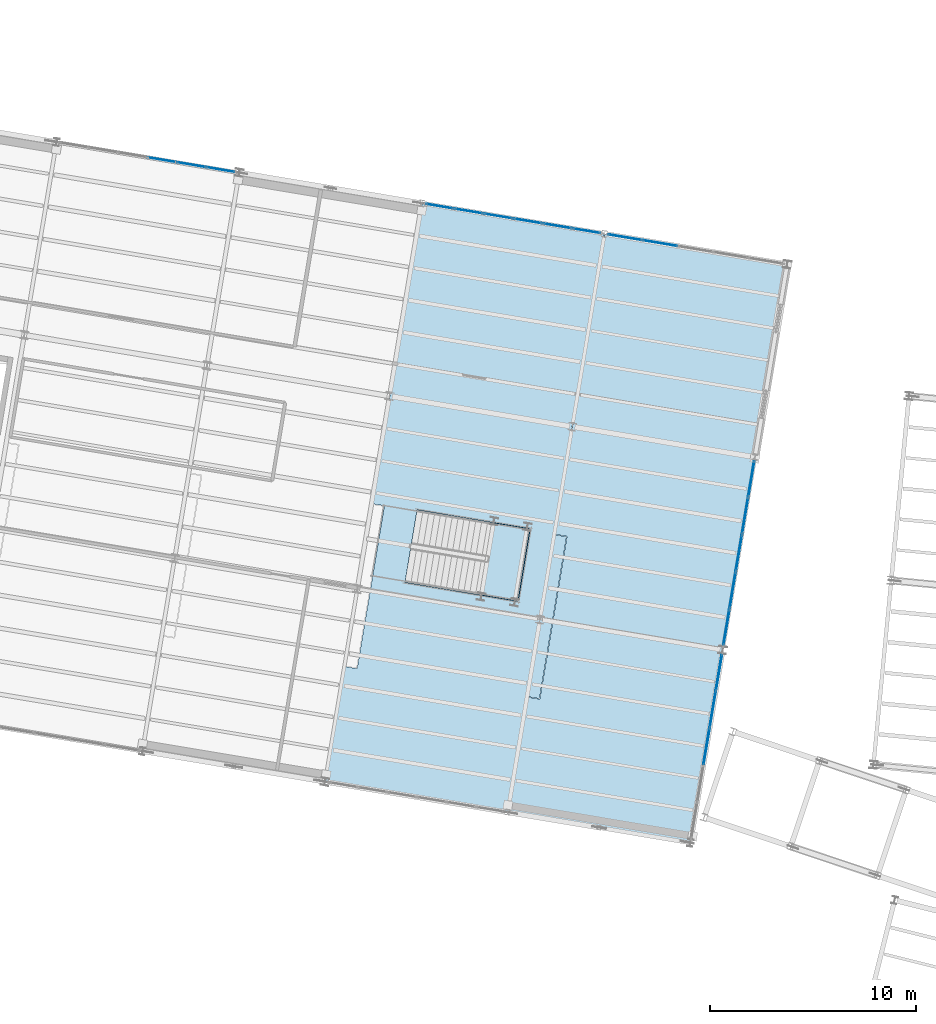
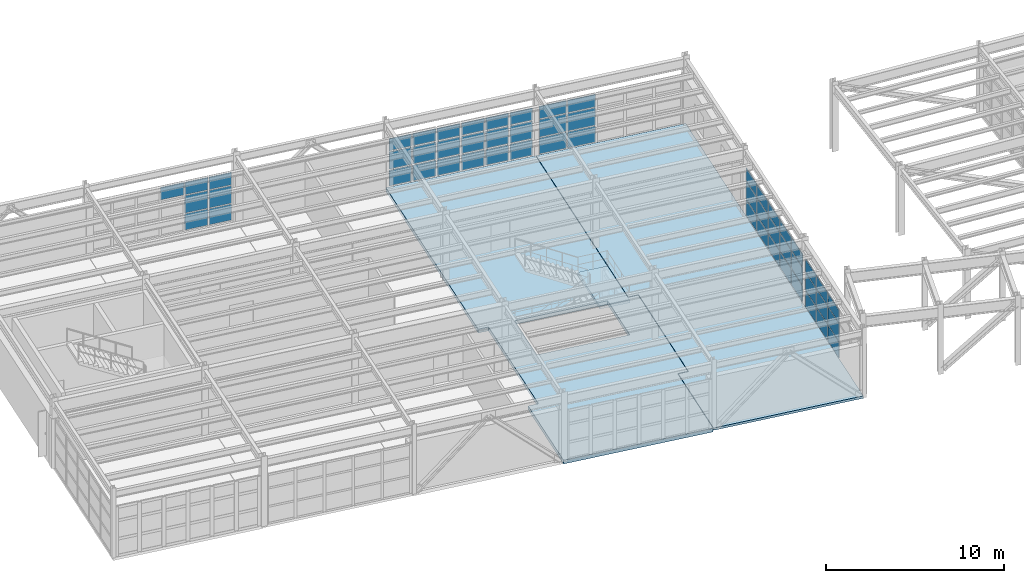
# One storey, part 70 of 109: 55 plates, 3 slabs, 6 elements without a shape of their own.
"""IFC4 building model written with IfcOpenShell, lengths in metres."""

from ifc_helpers import new_model, si_unit, direction, frame, origin, origin_2d, place, context, subcontext, project, spatial, polyline, rectangle, outline, extrude, material, layer, layer_set, type_object, element, aggregate, save


model = new_model("IFC4")

# Units and contexts
model_context = context("Model", 3, precision=1e-05, world=origin(), true_north=direction((0.0, 1.0)))
body_context = subcontext(model_context, "Body", "Model", "MODEL_VIEW")
ifc_project = project(units=[si_unit("LENGTHUNIT", "METRE"), si_unit("AREAUNIT", "SQUARE_METRE"), si_unit("VOLUMEUNIT", "CUBIC_METRE"), si_unit("PLANEANGLEUNIT", "RADIAN"), si_unit("MASSUNIT", "GRAM", prefix="KILO")], contexts=[model_context])

# Site, building, storey
site_placement = place(None, origin())
site = spatial("IfcSite", under=ifc_project, at=site_placement, CompositionType="ELEMENT")
building_placement = place(site_placement, origin())
building = spatial("IfcBuilding", under=site, at=building_placement, Name="Vireo Bluff Cable Station", CompositionType="ELEMENT")
storey_placement = place(building_placement, frame((0.0, 0.0, 4.800048828125)))
storey = spatial("IfcBuildingStorey", under=building, at=storey_placement, Name="L01", CompositionType="ELEMENT", Elevation=4.800048828125)

# Curtain wall, plates
ifc_material_1 = material(Name="Anodized Aluminium 6063-T6", Category="aluminium")
ifc_layer_1 = layer(ifc_material_1, 0.179931640625, Name="Anodized Aluminium 6063-T6")
ifc_layer_set_1 = layer_set([ifc_layer_1], Name="Anodized Aluminium 6063-T6")
curtain_wall_type_1 = type_object("IfcCurtainWallType", Name="CW-UNIT-1400", PredefinedType="USERDEFINED", material=ifc_layer_set_1)
curtain_wall_1_placement = place(storey_placement, origin())
curtain_wall_1 = element("IfcCurtainWall", 1, at=curtain_wall_1_placement, inside=storey, type_object=curtain_wall_type_1, Name="V4 L01 north curtain wall CW-090", ObjectType="UNITISED CURTAIN WALL", PredefinedType="USERDEFINED")
ifc_material_2 = material(Name="Laminated Low-E Insulated Glass", Category="glass")
ifc_layer_2 = layer(ifc_material_2, 0.028076171875, Name="Laminated Low-E Insulated Glass")
ifc_layer_set_2 = layer_set([ifc_layer_2], Name="Laminated Low-E Insulated Glass")
plate_type_1 = type_object("IfcPlateType", Name="CWP-28-1", PredefinedType="CURTAIN_PANEL", material=ifc_layer_set_2)
plate_1_placement = place(storey_placement, frame((24.20458984375, 97.266357421875, 2.47802734375), z_axis=(0.0, 0.0, 1.0), x_axis=(0.986285618078, -0.165047507018, 0.0)))
plate_1 = element("IfcPlate", 2, at=plate_1_placement, type_object=plate_type_1, Name="CW-090 panel 4.3", PredefinedType="CURTAIN_PANEL", context=body_context, shape_type="SweptSolid", body=[
    extrude(rectangle(XDim=1.386962890625, YDim=0.028076171875, at=origin_2d()), origin(), (0.0, 0.0, 1.0), 0.862060546875),
])
plate_2_placement = place(storey_placement, frame((25.631591796875, 97.02734375, 0.059814453125), z_axis=(0.0, 0.0, 1.0), x_axis=(0.986285618078, -0.165047507018, 0.0)))
plate_2 = element("IfcPlate", 3, at=plate_2_placement, type_object=plate_type_1, Name="CW-090 panel 5.1", PredefinedType="CURTAIN_PANEL", context=body_context, shape_type="SweptSolid", body=[
    extrude(rectangle(XDim=1.386962890625, YDim=0.028076171875, at=origin_2d()), origin(), (0.0, 0.0, 1.0), 1.10009765625),
])
plate_3_placement = place(storey_placement, frame((25.631591796875, 97.02734375, 1.2197265625), z_axis=(0.0, 0.0, 1.0), x_axis=(0.986285618078, -0.165047507018, 0.0)))
plate_3 = element("IfcPlate", 4, at=plate_3_placement, type_object=plate_type_1, Name="CW-090 panel 5.2", PredefinedType="CURTAIN_PANEL", context=body_context, shape_type="SweptSolid", body=[
    extrude(rectangle(XDim=1.386962890625, YDim=0.028076171875, at=origin_2d()), origin(), (0.0, 0.0, 1.0), 1.197998046875),
])
plate_4_placement = place(storey_placement, frame((25.631591796875, 97.02734375, 2.47802734375), z_axis=(0.0, 0.0, 1.0), x_axis=(0.986285618078, -0.165047507018, 0.0)))
plate_4 = element("IfcPlate", 5, at=plate_4_placement, type_object=plate_type_1, Name="CW-090 panel 5.3", PredefinedType="CURTAIN_PANEL", context=body_context, shape_type="SweptSolid", body=[
    extrude(rectangle(XDim=1.386962890625, YDim=0.028076171875, at=origin_2d()), origin(), (0.0, 0.0, 1.0), 0.862060546875),
])
plate_5_placement = place(storey_placement, frame((27.044189453125, 96.791015625, 0.059814453125), z_axis=(0.0, 0.0, 1.0), x_axis=(0.986285618078, -0.165047507018, 0.0)))
plate_5 = element("IfcPlate", 6, at=plate_5_placement, type_object=plate_type_1, Name="CW-090 panel 6.1", PredefinedType="CURTAIN_PANEL", context=body_context, shape_type="SweptSolid", body=[
    extrude(rectangle(XDim=1.357177734375, YDim=0.028076171875, at=origin_2d()), origin(), (0.0, 0.0, 1.0), 1.10009765625),
])
plate_6_placement = place(storey_placement, frame((27.044189453125, 96.791015625, 1.2197265625), z_axis=(0.0, 0.0, 1.0), x_axis=(0.986285618078, -0.165047507018, 0.0)))
plate_6 = element("IfcPlate", 7, at=plate_6_placement, type_object=plate_type_1, Name="CW-090 panel 6.2", PredefinedType="CURTAIN_PANEL", context=body_context, shape_type="SweptSolid", body=[
    extrude(rectangle(XDim=1.357177734375, YDim=0.028076171875, at=origin_2d()), origin(), (0.0, 0.0, 1.0), 1.197998046875),
])
plate_7_placement = place(storey_placement, frame((27.044189453125, 96.791015625, 2.47802734375), z_axis=(0.0, 0.0, 1.0), x_axis=(0.986285618078, -0.165047507018, 0.0)))
plate_7 = element("IfcPlate", 8, at=plate_7_placement, type_object=plate_type_1, Name="CW-090 panel 6.3", PredefinedType="CURTAIN_PANEL", context=body_context, shape_type="SweptSolid", body=[
    extrude(rectangle(XDim=1.357177734375, YDim=0.028076171875, at=origin_2d()), origin(), (0.0, 0.0, 1.0), 0.862060546875),
])
aggregate(curtain_wall_1, [plate_1, plate_2, plate_3, plate_4, plate_5, plate_6, plate_7])

ifc_layer_3 = layer(ifc_material_1, 0.179931640625, Name="Anodized Aluminium 6063-T6")
ifc_layer_set_3 = layer_set([ifc_layer_3], Name="Anodized Aluminium 6063-T6")
curtain_wall_type_2 = type_object("IfcCurtainWallType", Name="CW-UNIT-1500", PredefinedType="USERDEFINED", material=ifc_layer_set_3)
curtain_wall_2_placement = place(storey_placement, origin())
curtain_wall_2 = element("IfcCurtainWall", 9, at=curtain_wall_2_placement, inside=storey, type_object=curtain_wall_type_2, Name="V4 L01 north curtain wall CW-091", ObjectType="UNITISED CURTAIN WALL", PredefinedType="USERDEFINED")
ifc_layer_4 = layer(ifc_material_2, 0.031982421875, Name="Laminated Low-E Insulated Glass")
ifc_layer_set_4 = layer_set([ifc_layer_4], Name="Laminated Low-E Insulated Glass")
plate_type_2 = type_object("IfcPlateType", Name="CWP-32-2", PredefinedType="CURTAIN_PANEL", material=ifc_layer_set_4)
plate_8_placement = place(storey_placement, frame((37.698974609375, 95.008056640625, 0.080078125), z_axis=(0.0, 0.0, 1.0), x_axis=(0.986285605556, -0.165047581847, 0.0)))
plate_8 = element("IfcPlate", 10, at=plate_8_placement, type_object=plate_type_2, Name="CW-091 panel 1.1", PredefinedType="CURTAIN_PANEL", context=body_context, shape_type="SweptSolid", body=[
    extrude(rectangle(XDim=1.3369140625, YDim=0.031982421875, at=origin_2d()), origin(), (0.0, 0.0, 1.0), 1.070068359375),
])
plate_9_placement = place(storey_placement, frame((37.698974609375, 95.008056640625, 1.22998046875), z_axis=(0.0, 0.0, 1.0), x_axis=(0.986285605556, -0.165047581847, 0.0)))
plate_9 = element("IfcPlate", 11, at=plate_9_placement, type_object=plate_type_2, Name="CW-091 panel 1.2", PredefinedType="CURTAIN_PANEL", context=body_context, shape_type="SweptSolid", body=[
    extrude(rectangle(XDim=1.3369140625, YDim=0.031982421875, at=origin_2d()), origin(), (0.0, 0.0, 1.0), 1.177978515625),
])
plate_10_placement = place(storey_placement, frame((37.698974609375, 95.008056640625, 2.488037109375), z_axis=(0.0, 0.0, 1.0), x_axis=(0.986285605556, -0.165047581847, 0.0)))
plate_10 = element("IfcPlate", 12, at=plate_10_placement, type_object=plate_type_2, Name="CW-091 panel 1.3", PredefinedType="CURTAIN_PANEL", context=body_context, shape_type="SweptSolid", body=[
    extrude(rectangle(XDim=1.3369140625, YDim=0.031982421875, at=origin_2d()), origin(), (0.0, 0.0, 1.0), 0.83203125),
])
plate_11_placement = place(storey_placement, frame((39.1162109375, 94.770751953125, 0.080078125), z_axis=(0.0, 0.0, 1.0), x_axis=(0.986285605556, -0.165047581847, 0.0)))
plate_11 = element("IfcPlate", 13, at=plate_11_placement, type_object=plate_type_2, Name="CW-091 panel 2.1", PredefinedType="CURTAIN_PANEL", context=body_context, shape_type="SweptSolid", body=[
    extrude(rectangle(XDim=1.376953125, YDim=0.031982421875, at=origin_2d()), origin(), (0.0, 0.0, 1.0), 1.070068359375),
])
plate_12_placement = place(storey_placement, frame((39.1162109375, 94.770751953125, 1.22998046875), z_axis=(0.0, 0.0, 1.0), x_axis=(0.986285605556, -0.165047581847, 0.0)))
plate_12 = element("IfcPlate", 14, at=plate_12_placement, type_object=plate_type_2, Name="CW-091 panel 2.2", PredefinedType="CURTAIN_PANEL", context=body_context, shape_type="SweptSolid", body=[
    extrude(rectangle(XDim=1.376953125, YDim=0.031982421875, at=origin_2d()), origin(), (0.0, 0.0, 1.0), 1.177978515625),
])
plate_13_placement = place(storey_placement, frame((39.1162109375, 94.770751953125, 2.488037109375), z_axis=(0.0, 0.0, 1.0), x_axis=(0.986285605556, -0.165047581847, 0.0)))
plate_13 = element("IfcPlate", 15, at=plate_13_placement, type_object=plate_type_2, Name="CW-091 panel 2.3", PredefinedType="CURTAIN_PANEL", context=body_context, shape_type="SweptSolid", body=[
    extrude(rectangle(XDim=1.376953125, YDim=0.031982421875, at=origin_2d()), origin(), (0.0, 0.0, 1.0), 0.83203125),
])
plate_14_placement = place(storey_placement, frame((40.55322265625, 94.5302734375, 0.080078125), z_axis=(0.0, 0.0, 1.0), x_axis=(0.986285605556, -0.165047581847, 0.0)))
plate_14 = element("IfcPlate", 16, at=plate_14_placement, type_object=plate_type_2, Name="CW-091 panel 3.1", PredefinedType="CURTAIN_PANEL", context=body_context, shape_type="SweptSolid", body=[
    extrude(rectangle(XDim=1.376953125, YDim=0.031982421875, at=origin_2d()), origin(), (0.0, 0.0, 1.0), 1.070068359375),
])
plate_15_placement = place(storey_placement, frame((40.55322265625, 94.5302734375, 1.22998046875), z_axis=(0.0, 0.0, 1.0), x_axis=(0.986285605556, -0.165047581847, 0.0)))
plate_15 = element("IfcPlate", 17, at=plate_15_placement, type_object=plate_type_2, Name="CW-091 panel 3.2", PredefinedType="CURTAIN_PANEL", context=body_context, shape_type="SweptSolid", body=[
    extrude(rectangle(XDim=1.376953125, YDim=0.031982421875, at=origin_2d()), origin(), (0.0, 0.0, 1.0), 1.177978515625),
])
plate_16_placement = place(storey_placement, frame((40.55322265625, 94.5302734375, 2.488037109375), z_axis=(0.0, 0.0, 1.0), x_axis=(0.986285605556, -0.165047581847, 0.0)))
plate_16 = element("IfcPlate", 18, at=plate_16_placement, type_object=plate_type_2, Name="CW-091 panel 3.3", PredefinedType="CURTAIN_PANEL", context=body_context, shape_type="SweptSolid", body=[
    extrude(rectangle(XDim=1.376953125, YDim=0.031982421875, at=origin_2d()), origin(), (0.0, 0.0, 1.0), 0.83203125),
])
plate_17_placement = place(storey_placement, frame((41.990478515625, 94.289794921875, 0.080078125), z_axis=(0.0, 0.0, 1.0), x_axis=(0.986285605556, -0.165047581847, 0.0)))
plate_17 = element("IfcPlate", 19, at=plate_17_placement, type_object=plate_type_2, Name="CW-091 panel 4.1", PredefinedType="CURTAIN_PANEL", context=body_context, shape_type="SweptSolid", body=[
    extrude(rectangle(XDim=1.376953125, YDim=0.031982421875, at=origin_2d()), origin(), (0.0, 0.0, 1.0), 1.070068359375),
])
plate_18_placement = place(storey_placement, frame((41.990478515625, 94.289794921875, 1.22998046875), z_axis=(0.0, 0.0, 1.0), x_axis=(0.986285605556, -0.165047581847, 0.0)))
plate_18 = element("IfcPlate", 20, at=plate_18_placement, type_object=plate_type_2, Name="CW-091 panel 4.2", PredefinedType="CURTAIN_PANEL", context=body_context, shape_type="SweptSolid", body=[
    extrude(rectangle(XDim=1.376953125, YDim=0.031982421875, at=origin_2d()), origin(), (0.0, 0.0, 1.0), 1.177978515625),
])
plate_19_placement = place(storey_placement, frame((41.990478515625, 94.289794921875, 2.488037109375), z_axis=(0.0, 0.0, 1.0), x_axis=(0.986285605556, -0.165047581847, 0.0)))
plate_19 = element("IfcPlate", 21, at=plate_19_placement, type_object=plate_type_2, Name="CW-091 panel 4.3", PredefinedType="CURTAIN_PANEL", context=body_context, shape_type="SweptSolid", body=[
    extrude(rectangle(XDim=1.376953125, YDim=0.031982421875, at=origin_2d()), origin(), (0.0, 0.0, 1.0), 0.83203125),
])
plate_20_placement = place(storey_placement, frame((43.427490234375, 94.04931640625, 0.080078125), z_axis=(0.0, 0.0, 1.0), x_axis=(0.986285605556, -0.165047581847, 0.0)))
plate_20 = element("IfcPlate", 22, at=plate_20_placement, type_object=plate_type_2, Name="CW-091 panel 5.1", PredefinedType="CURTAIN_PANEL", context=body_context, shape_type="SweptSolid", body=[
    extrude(rectangle(XDim=1.376953125, YDim=0.031982421875, at=origin_2d()), origin(), (0.0, 0.0, 1.0), 1.070068359375),
])
plate_21_placement = place(storey_placement, frame((43.427490234375, 94.04931640625, 1.22998046875), z_axis=(0.0, 0.0, 1.0), x_axis=(0.986285605556, -0.165047581847, 0.0)))
plate_21 = element("IfcPlate", 23, at=plate_21_placement, type_object=plate_type_2, Name="CW-091 panel 5.2", PredefinedType="CURTAIN_PANEL", context=body_context, shape_type="SweptSolid", body=[
    extrude(rectangle(XDim=1.376953125, YDim=0.031982421875, at=origin_2d()), origin(), (0.0, 0.0, 1.0), 1.177978515625),
])
plate_22_placement = place(storey_placement, frame((43.427490234375, 94.04931640625, 2.488037109375), z_axis=(0.0, 0.0, 1.0), x_axis=(0.986285605556, -0.165047581847, 0.0)))
plate_22 = element("IfcPlate", 24, at=plate_22_placement, type_object=plate_type_2, Name="CW-091 panel 5.3", PredefinedType="CURTAIN_PANEL", context=body_context, shape_type="SweptSolid", body=[
    extrude(rectangle(XDim=1.376953125, YDim=0.031982421875, at=origin_2d()), origin(), (0.0, 0.0, 1.0), 0.83203125),
])
plate_23_placement = place(storey_placement, frame((44.8447265625, 93.812255859375, 0.080078125), z_axis=(0.0, 0.0, 1.0), x_axis=(0.986285605556, -0.165047581847, 0.0)))
plate_23 = element("IfcPlate", 25, at=plate_23_placement, type_object=plate_type_2, Name="CW-091 panel 6.1", PredefinedType="CURTAIN_PANEL", context=body_context, shape_type="SweptSolid", body=[
    extrude(rectangle(XDim=1.3369140625, YDim=0.031982421875, at=origin_2d()), origin(), (0.0, 0.0, 1.0), 1.070068359375),
])
plate_24_placement = place(storey_placement, frame((44.8447265625, 93.812255859375, 1.22998046875), z_axis=(0.0, 0.0, 1.0), x_axis=(0.986285605556, -0.165047581847, 0.0)))
plate_24 = element("IfcPlate", 26, at=plate_24_placement, type_object=plate_type_2, Name="CW-091 panel 6.2", PredefinedType="CURTAIN_PANEL", context=body_context, shape_type="SweptSolid", body=[
    extrude(rectangle(XDim=1.3369140625, YDim=0.031982421875, at=origin_2d()), origin(), (0.0, 0.0, 1.0), 1.177978515625),
])
plate_25_placement = place(storey_placement, frame((44.8447265625, 93.812255859375, 2.488037109375), z_axis=(0.0, 0.0, 1.0), x_axis=(0.986285605556, -0.165047581847, 0.0)))
plate_25 = element("IfcPlate", 27, at=plate_25_placement, type_object=plate_type_2, Name="CW-091 panel 6.3", PredefinedType="CURTAIN_PANEL", context=body_context, shape_type="SweptSolid", body=[
    extrude(rectangle(XDim=1.3369140625, YDim=0.031982421875, at=origin_2d()), origin(), (0.0, 0.0, 1.0), 0.83203125),
])
aggregate(curtain_wall_2, [plate_8, plate_9, plate_10, plate_11, plate_12, plate_13, plate_14, plate_15, plate_16, plate_17, plate_18, plate_19, plate_20, plate_21, plate_22, plate_23, plate_24, plate_25])

ifc_layer_5 = layer(ifc_material_1, 0.179931640625, Name="Anodized Aluminium 6063-T6")
ifc_layer_set_5 = layer_set([ifc_layer_5], Name="Anodized Aluminium 6063-T6")
curtain_wall_type_3 = type_object("IfcCurtainWallType", Name="CW-UNIT-1650", PredefinedType="USERDEFINED", material=ifc_layer_set_5)
curtain_wall_3_placement = place(storey_placement, origin())
curtain_wall_3 = element("IfcCurtainWall", 28, at=curtain_wall_3_placement, inside=storey, type_object=curtain_wall_type_3, Name="V4 L01 north curtain wall CW-092", ObjectType="UNITISED CURTAIN WALL", PredefinedType="USERDEFINED")
ifc_layer_6 = layer(ifc_material_2, 0.035888671875, Name="Laminated Low-E Insulated Glass")
ifc_layer_set_6 = layer_set([ifc_layer_6], Name="Laminated Low-E Insulated Glass")
plate_type_3 = type_object("IfcPlateType", Name="CWP-36-3", PredefinedType="CURTAIN_PANEL", material=ifc_layer_set_6)
plate_26_placement = place(storey_placement, frame((46.7099609375, 93.500244140625, 0.06494140625), z_axis=(0.0, 0.0, 1.0), x_axis=(0.986285589951, -0.165047675095, 0.0)))
plate_26 = element("IfcPlate", 29, at=plate_26_placement, type_object=plate_type_3, Name="CW-092 panel 1.1", PredefinedType="CURTAIN_PANEL", context=body_context, shape_type="SweptSolid", body=[
    extrude(rectangle(XDim=1.639404296875, YDim=0.035888671875, at=origin_2d()), origin(), (0.0, 0.0, 1.0), 1.092529296875),
])
plate_27_placement = place(storey_placement, frame((46.7099609375, 93.500244140625, 1.22216796875), z_axis=(0.0, 0.0, 1.0), x_axis=(0.986285589951, -0.165047675095, 0.0)))
plate_27 = element("IfcPlate", 30, at=plate_27_placement, type_object=plate_type_3, Name="CW-092 panel 1.2", PredefinedType="CURTAIN_PANEL", context=body_context, shape_type="SweptSolid", body=[
    extrude(rectangle(XDim=1.639404296875, YDim=0.035888671875, at=origin_2d()), origin(), (0.0, 0.0, 1.0), 1.193115234375),
])
plate_28_placement = place(storey_placement, frame((46.7099609375, 93.500244140625, 2.48046875), z_axis=(0.0, 0.0, 1.0), x_axis=(0.986285589951, -0.165047675095, 0.0)))
plate_28 = element("IfcPlate", 31, at=plate_28_placement, type_object=plate_type_3, Name="CW-092 panel 1.3", PredefinedType="CURTAIN_PANEL", context=body_context, shape_type="SweptSolid", body=[
    extrude(rectangle(XDim=1.639404296875, YDim=0.035888671875, at=origin_2d()), origin(), (0.0, 0.0, 1.0), 0.8544921875),
])
plate_29_placement = place(storey_placement, frame((48.40673828125, 93.216064453125, 0.06494140625), z_axis=(0.0, 0.0, 1.0), x_axis=(0.986285589951, -0.165047675095, 0.0)))
plate_29 = element("IfcPlate", 32, at=plate_29_placement, type_object=plate_type_3, Name="CW-092 panel 2.1", PredefinedType="CURTAIN_PANEL", context=body_context, shape_type="SweptSolid", body=[
    extrude(rectangle(XDim=1.671875, YDim=0.035888671875, at=origin_2d()), origin(), (0.0, 0.0, 1.0), 1.092529296875),
])
plate_30_placement = place(storey_placement, frame((48.40673828125, 93.216064453125, 1.22216796875), z_axis=(0.0, 0.0, 1.0), x_axis=(0.986285589951, -0.165047675095, 0.0)))
plate_30 = element("IfcPlate", 33, at=plate_30_placement, type_object=plate_type_3, Name="CW-092 panel 2.2", PredefinedType="CURTAIN_PANEL", context=body_context, shape_type="SweptSolid", body=[
    extrude(rectangle(XDim=1.671875, YDim=0.035888671875, at=origin_2d()), origin(), (0.0, 0.0, 1.0), 1.193115234375),
])
plate_31_placement = place(storey_placement, frame((48.40673828125, 93.216064453125, 2.48046875), z_axis=(0.0, 0.0, 1.0), x_axis=(0.986285589951, -0.165047675095, 0.0)))
plate_31 = element("IfcPlate", 34, at=plate_31_placement, type_object=plate_type_3, Name="CW-092 panel 2.3", PredefinedType="CURTAIN_PANEL", context=body_context, shape_type="SweptSolid", body=[
    extrude(rectangle(XDim=1.671875, YDim=0.035888671875, at=origin_2d()), origin(), (0.0, 0.0, 1.0), 0.8544921875),
])
aggregate(curtain_wall_3, [plate_26, plate_27, plate_28, plate_29, plate_30, plate_31])

ifc_layer_7 = layer(ifc_material_1, 0.159912109375, Name="Anodized Aluminium 6063-T6")
ifc_layer_set_7 = layer_set([ifc_layer_7], Name="Anodized Aluminium 6063-T6")
curtain_wall_type_4 = type_object("IfcCurtainWallType", Name="CW-STICK-1850", PredefinedType="USERDEFINED", material=ifc_layer_set_7)
curtain_wall_4_placement = place(storey_placement, origin())
curtain_wall_4 = element("IfcCurtainWall", 35, at=curtain_wall_4_placement, inside=storey, type_object=curtain_wall_type_4, Name="V4 L01 east curtain wall CW-093", ObjectType="STICK CURTAIN WALL", PredefinedType="USERDEFINED")
ifc_material_3 = material(Name="Insulated Spandrel Glass Panel", Category="glass")
ifc_layer_8 = layer(ifc_material_3, 0.0419921875, Name="Insulated Spandrel Glass Panel")
ifc_layer_set_8 = layer_set([ifc_layer_8], Name="Insulated Spandrel Glass Panel")
plate_type_4 = type_object("IfcPlateType", Name="CWP-42-4", PredefinedType="CURTAIN_PANEL", material=ifc_layer_set_8)
plate_32_placement = place(storey_placement, frame((52.842529296875, 81.75927734375, 0.0751953125), z_axis=(0.0, 0.0, 1.0), x_axis=(-0.165047565133, -0.986285608353, 0.0)))
plate_32 = element("IfcPlate", 36, at=plate_32_placement, type_object=plate_type_4, Name="CW-093 panel 1.1", PredefinedType="CURTAIN_PANEL", context=body_context, shape_type="SweptSolid", body=[
    extrude(rectangle(XDim=1.72509765625, YDim=0.0419921875, at=origin_2d()), origin(), (0.0, 0.0, 1.0), 1.077392578125),
])
plate_33_placement = place(storey_placement, frame((52.842529296875, 81.75927734375, 1.227294921875), z_axis=(0.0, 0.0, 1.0), x_axis=(-0.165047565133, -0.986285608353, 0.0)))
plate_33 = element("IfcPlate", 37, at=plate_33_placement, type_object=plate_type_4, Name="CW-093 panel 1.2", PredefinedType="CURTAIN_PANEL", context=body_context, shape_type="SweptSolid", body=[
    extrude(rectangle(XDim=1.72509765625, YDim=0.0419921875, at=origin_2d()), origin(), (0.0, 0.0, 1.0), 1.18310546875),
])
plate_34_placement = place(storey_placement, frame((52.842529296875, 81.75927734375, 2.4853515625), z_axis=(0.0, 0.0, 1.0), x_axis=(-0.165047565133, -0.986285608353, 0.0)))
plate_34 = element("IfcPlate", 38, at=plate_34_placement, type_object=plate_type_4, Name="CW-093 panel 1.3", PredefinedType="CURTAIN_PANEL", context=body_context, shape_type="SweptSolid", body=[
    extrude(rectangle(XDim=1.72509765625, YDim=0.0419921875, at=origin_2d()), origin(), (0.0, 0.0, 1.0), 0.839599609375),
])
plate_35_placement = place(storey_placement, frame((52.54248046875, 79.965576171875, 0.0751953125), z_axis=(0.0, 0.0, 1.0), x_axis=(-0.165047565133, -0.986285608353, 0.0)))
plate_35 = element("IfcPlate", 39, at=plate_35_placement, type_object=plate_type_4, Name="CW-093 panel 2.1", PredefinedType="CURTAIN_PANEL", context=body_context, shape_type="SweptSolid", body=[
    extrude(rectangle(XDim=1.7626953125, YDim=0.0419921875, at=origin_2d()), origin(), (0.0, 0.0, 1.0), 1.077392578125),
])
plate_36_placement = place(storey_placement, frame((52.54248046875, 79.965576171875, 1.227294921875), z_axis=(0.0, 0.0, 1.0), x_axis=(-0.165047565133, -0.986285608353, 0.0)))
plate_36 = element("IfcPlate", 40, at=plate_36_placement, type_object=plate_type_4, Name="CW-093 panel 2.2", PredefinedType="CURTAIN_PANEL", context=body_context, shape_type="SweptSolid", body=[
    extrude(rectangle(XDim=1.7626953125, YDim=0.0419921875, at=origin_2d()), origin(), (0.0, 0.0, 1.0), 1.18310546875),
])
plate_37_placement = place(storey_placement, frame((52.54248046875, 79.965576171875, 2.4853515625), z_axis=(0.0, 0.0, 1.0), x_axis=(-0.165047565133, -0.986285608353, 0.0)))
plate_37 = element("IfcPlate", 41, at=plate_37_placement, type_object=plate_type_4, Name="CW-093 panel 2.3", PredefinedType="CURTAIN_PANEL", context=body_context, shape_type="SweptSolid", body=[
    extrude(rectangle(XDim=1.7626953125, YDim=0.0419921875, at=origin_2d()), origin(), (0.0, 0.0, 1.0), 0.839599609375),
])
plate_38_placement = place(storey_placement, frame((52.239013671875, 78.153076171875, 0.0751953125), z_axis=(0.0, 0.0, 1.0), x_axis=(-0.165047565133, -0.986285608353, 0.0)))
plate_38 = element("IfcPlate", 42, at=plate_38_placement, type_object=plate_type_4, Name="CW-093 panel 3.1", PredefinedType="CURTAIN_PANEL", context=body_context, shape_type="SweptSolid", body=[
    extrude(rectangle(XDim=1.7626953125, YDim=0.0419921875, at=origin_2d()), origin(), (0.0, 0.0, 1.0), 1.077392578125),
])
plate_39_placement = place(storey_placement, frame((52.239013671875, 78.153076171875, 1.227294921875), z_axis=(0.0, 0.0, 1.0), x_axis=(-0.165047565133, -0.986285608353, 0.0)))
plate_39 = element("IfcPlate", 43, at=plate_39_placement, type_object=plate_type_4, Name="CW-093 panel 3.2", PredefinedType="CURTAIN_PANEL", context=body_context, shape_type="SweptSolid", body=[
    extrude(rectangle(XDim=1.7626953125, YDim=0.0419921875, at=origin_2d()), origin(), (0.0, 0.0, 1.0), 1.18310546875),
])
plate_40_placement = place(storey_placement, frame((52.239013671875, 78.153076171875, 2.4853515625), z_axis=(0.0, 0.0, 1.0), x_axis=(-0.165047565133, -0.986285608353, 0.0)))
plate_40 = element("IfcPlate", 44, at=plate_40_placement, type_object=plate_type_4, Name="CW-093 panel 3.3", PredefinedType="CURTAIN_PANEL", context=body_context, shape_type="SweptSolid", body=[
    extrude(rectangle(XDim=1.7626953125, YDim=0.0419921875, at=origin_2d()), origin(), (0.0, 0.0, 1.0), 0.839599609375),
])
plate_41_placement = place(storey_placement, frame((51.935791015625, 76.340576171875, 0.0751953125), z_axis=(0.0, 0.0, 1.0), x_axis=(-0.165047565133, -0.986285608353, 0.0)))
plate_41 = element("IfcPlate", 45, at=plate_41_placement, type_object=plate_type_4, Name="CW-093 panel 4.1", PredefinedType="CURTAIN_PANEL", context=body_context, shape_type="SweptSolid", body=[
    extrude(rectangle(XDim=1.7626953125, YDim=0.0419921875, at=origin_2d()), origin(), (0.0, 0.0, 1.0), 1.077392578125),
])
plate_42_placement = place(storey_placement, frame((51.935791015625, 76.340576171875, 1.227294921875), z_axis=(0.0, 0.0, 1.0), x_axis=(-0.165047565133, -0.986285608353, 0.0)))
plate_42 = element("IfcPlate", 46, at=plate_42_placement, type_object=plate_type_4, Name="CW-093 panel 4.2", PredefinedType="CURTAIN_PANEL", context=body_context, shape_type="SweptSolid", body=[
    extrude(rectangle(XDim=1.7626953125, YDim=0.0419921875, at=origin_2d()), origin(), (0.0, 0.0, 1.0), 1.18310546875),
])
plate_43_placement = place(storey_placement, frame((51.935791015625, 76.340576171875, 2.4853515625), z_axis=(0.0, 0.0, 1.0), x_axis=(-0.165047565133, -0.986285608353, 0.0)))
plate_43 = element("IfcPlate", 47, at=plate_43_placement, type_object=plate_type_4, Name="CW-093 panel 4.3", PredefinedType="CURTAIN_PANEL", context=body_context, shape_type="SweptSolid", body=[
    extrude(rectangle(XDim=1.7626953125, YDim=0.0419921875, at=origin_2d()), origin(), (0.0, 0.0, 1.0), 0.839599609375),
])
plate_44_placement = place(storey_placement, frame((51.635498046875, 74.546875, 0.0751953125), z_axis=(0.0, 0.0, 1.0), x_axis=(-0.165047565133, -0.986285608353, 0.0)))
plate_44 = element("IfcPlate", 48, at=plate_44_placement, type_object=plate_type_4, Name="CW-093 panel 5.1", PredefinedType="CURTAIN_PANEL", context=body_context, shape_type="SweptSolid", body=[
    extrude(rectangle(XDim=1.72509765625, YDim=0.0419921875, at=origin_2d()), origin(), (0.0, 0.0, 1.0), 1.077392578125),
])
plate_45_placement = place(storey_placement, frame((51.635498046875, 74.546875, 1.227294921875), z_axis=(0.0, 0.0, 1.0), x_axis=(-0.165047565133, -0.986285608353, 0.0)))
plate_45 = element("IfcPlate", 49, at=plate_45_placement, type_object=plate_type_4, Name="CW-093 panel 5.2", PredefinedType="CURTAIN_PANEL", context=body_context, shape_type="SweptSolid", body=[
    extrude(rectangle(XDim=1.72509765625, YDim=0.0419921875, at=origin_2d()), origin(), (0.0, 0.0, 1.0), 1.18310546875),
])
plate_46_placement = place(storey_placement, frame((51.635498046875, 74.546875, 2.4853515625), z_axis=(0.0, 0.0, 1.0), x_axis=(-0.165047565133, -0.986285608353, 0.0)))
plate_46 = element("IfcPlate", 50, at=plate_46_placement, type_object=plate_type_4, Name="CW-093 panel 5.3", PredefinedType="CURTAIN_PANEL", context=body_context, shape_type="SweptSolid", body=[
    extrude(rectangle(XDim=1.72509765625, YDim=0.0419921875, at=origin_2d()), origin(), (0.0, 0.0, 1.0), 0.839599609375),
])
aggregate(curtain_wall_4, [plate_32, plate_33, plate_34, plate_35, plate_36, plate_37, plate_38, plate_39, plate_40, plate_41, plate_42, plate_43, plate_44, plate_45, plate_46])

ifc_layer_9 = layer(ifc_material_1, 0.159912109375, Name="Anodized Aluminium 6063-T6")
ifc_layer_set_9 = layer_set([ifc_layer_9], Name="Anodized Aluminium 6063-T6")
curtain_wall_type_5 = type_object("IfcCurtainWallType", Name="CW-STICK-1750", PredefinedType="USERDEFINED", material=ifc_layer_set_9)
curtain_wall_5_placement = place(storey_placement, origin())
curtain_wall_5 = element("IfcCurtainWall", 51, at=curtain_wall_5_placement, inside=storey, type_object=curtain_wall_type_5, Name="V4 L01 east curtain wall CW-094", ObjectType="STICK CURTAIN WALL", PredefinedType="USERDEFINED")
ifc_layer_10 = layer(ifc_material_3, 0.048095703125, Name="Insulated Spandrel Glass Panel")
ifc_layer_set_10 = layer_set([ifc_layer_10], Name="Insulated Spandrel Glass Panel")
plate_type_5 = type_object("IfcPlateType", Name="CWP-48-5", PredefinedType="CURTAIN_PANEL", material=ifc_layer_set_10)
plate_47_placement = place(storey_placement, frame((51.267578125, 72.347412109375, 0.059814453125), z_axis=(0.0, 0.0, 1.0), x_axis=(-0.165047671394, -0.986285590571, 0.0)))
plate_47 = element("IfcPlate", 52, at=plate_47_placement, type_object=plate_type_5, Name="CW-094 panel 1.1", PredefinedType="CURTAIN_PANEL", context=body_context, shape_type="SweptSolid", body=[
    extrude(rectangle(XDim=1.73681640625, YDim=0.048095703125, at=origin_2d()), origin(), (0.0, 0.0, 1.0), 1.10009765625),
])
plate_48_placement = place(storey_placement, frame((51.267578125, 72.347412109375, 1.2197265625), z_axis=(0.0, 0.0, 1.0), x_axis=(-0.165047671394, -0.986285590571, 0.0)))
plate_48 = element("IfcPlate", 53, at=plate_48_placement, type_object=plate_type_5, Name="CW-094 panel 1.2", PredefinedType="CURTAIN_PANEL", context=body_context, shape_type="SweptSolid", body=[
    extrude(rectangle(XDim=1.73681640625, YDim=0.048095703125, at=origin_2d()), origin(), (0.0, 0.0, 1.0), 1.197998046875),
])
plate_49_placement = place(storey_placement, frame((51.267578125, 72.347412109375, 2.47802734375), z_axis=(0.0, 0.0, 1.0), x_axis=(-0.165047671394, -0.986285590571, 0.0)))
plate_49 = element("IfcPlate", 54, at=plate_49_placement, type_object=plate_type_5, Name="CW-094 panel 1.3", PredefinedType="CURTAIN_PANEL", context=body_context, shape_type="SweptSolid", body=[
    extrude(rectangle(XDim=1.73681640625, YDim=0.048095703125, at=origin_2d()), origin(), (0.0, 0.0, 1.0), 0.862060546875),
])
plate_50_placement = place(storey_placement, frame((50.968505859375, 70.560302734375, 0.059814453125), z_axis=(0.0, 0.0, 1.0), x_axis=(-0.165047671394, -0.986285590571, 0.0)))
plate_50 = element("IfcPlate", 55, at=plate_50_placement, type_object=plate_type_5, Name="CW-094 panel 2.1", PredefinedType="CURTAIN_PANEL", context=body_context, shape_type="SweptSolid", body=[
    extrude(rectangle(XDim=1.766845703125, YDim=0.048095703125, at=origin_2d()), origin(), (0.0, 0.0, 1.0), 1.10009765625),
])
plate_51_placement = place(storey_placement, frame((50.968505859375, 70.560302734375, 1.2197265625), z_axis=(0.0, 0.0, 1.0), x_axis=(-0.165047671394, -0.986285590571, 0.0)))
plate_51 = element("IfcPlate", 56, at=plate_51_placement, type_object=plate_type_5, Name="CW-094 panel 2.2", PredefinedType="CURTAIN_PANEL", context=body_context, shape_type="SweptSolid", body=[
    extrude(rectangle(XDim=1.766845703125, YDim=0.048095703125, at=origin_2d()), origin(), (0.0, 0.0, 1.0), 1.197998046875),
])
plate_52_placement = place(storey_placement, frame((50.968505859375, 70.560302734375, 2.47802734375), z_axis=(0.0, 0.0, 1.0), x_axis=(-0.165047671394, -0.986285590571, 0.0)))
plate_52 = element("IfcPlate", 57, at=plate_52_placement, type_object=plate_type_5, Name="CW-094 panel 2.3", PredefinedType="CURTAIN_PANEL", context=body_context, shape_type="SweptSolid", body=[
    extrude(rectangle(XDim=1.766845703125, YDim=0.048095703125, at=origin_2d()), origin(), (0.0, 0.0, 1.0), 0.862060546875),
])
plate_53_placement = place(storey_placement, frame((50.6669921875, 68.758544921875, 0.059814453125), z_axis=(0.0, 0.0, 1.0), x_axis=(-0.165047671394, -0.986285590571, 0.0)))
plate_53 = element("IfcPlate", 58, at=plate_53_placement, type_object=plate_type_5, Name="CW-094 panel 3.1", PredefinedType="CURTAIN_PANEL", context=body_context, shape_type="SweptSolid", body=[
    extrude(rectangle(XDim=1.766845703125, YDim=0.048095703125, at=origin_2d()), origin(), (0.0, 0.0, 1.0), 1.10009765625),
])
plate_54_placement = place(storey_placement, frame((50.6669921875, 68.758544921875, 1.2197265625), z_axis=(0.0, 0.0, 1.0), x_axis=(-0.165047671394, -0.986285590571, 0.0)))
plate_54 = element("IfcPlate", 59, at=plate_54_placement, type_object=plate_type_5, Name="CW-094 panel 3.2", PredefinedType="CURTAIN_PANEL", context=body_context, shape_type="SweptSolid", body=[
    extrude(rectangle(XDim=1.766845703125, YDim=0.048095703125, at=origin_2d()), origin(), (0.0, 0.0, 1.0), 1.197998046875),
])
plate_55_placement = place(storey_placement, frame((50.6669921875, 68.758544921875, 2.47802734375), z_axis=(0.0, 0.0, 1.0), x_axis=(-0.165047671394, -0.986285590571, 0.0)))
plate_55 = element("IfcPlate", 60, at=plate_55_placement, type_object=plate_type_5, Name="CW-094 panel 3.3", PredefinedType="CURTAIN_PANEL", context=body_context, shape_type="SweptSolid", body=[
    extrude(rectangle(XDim=1.766845703125, YDim=0.048095703125, at=origin_2d()), origin(), (0.0, 0.0, 1.0), 0.862060546875),
])
aggregate(curtain_wall_5, [plate_47, plate_48, plate_49, plate_50, plate_51, plate_52, plate_53, plate_54, plate_55])

# Slabs
ifc_material_4 = material(Name="Concrete f'c 40 MPa", Category="concrete")
ifc_layer_11 = layer(ifc_material_4, 0.159912109375, Name="Concrete f'c 40 MPa")
ifc_layer_set_11 = layer_set([ifc_layer_11], Name="Concrete f'c 40 MPa")
slab_type_1 = type_object("IfcSlabType", Name="FLOORSLAB-160", PredefinedType="FLOOR", material=ifc_layer_set_11)
slab_1_placement = place(storey_placement, frame((0.0, 0.0, -0.16015625)))
element("IfcSlab", 61, at=slab_1_placement, inside=storey, type_object=slab_type_1, Name="V4 L01 floor slab bay 5", PredefinedType="FLOOR", context=body_context, shape_type="SweptSolid", body=[
    extrude(outline(polyline([(41.01611328125, 65.556640625), (49.8828125, 64.07275390625), (54.586669921875, 92.181884765625), (45.719970703125, 93.665771484375), (43.27734375, 79.06884765625), (43.888916015625, 78.96630859375), (42.565185546875, 71.056396484375), (41.95361328125, 71.15869140625), (41.01611328125, 65.556640625)])), origin(), (0.0, 0.0, 1.0), 0.16015625),
])
ifc_layer_12 = layer(ifc_material_4, 0.260009765625, Name="Concrete f'c 40 MPa")
ifc_layer_set_12 = layer_set([ifc_layer_12], Name="Concrete f'c 40 MPa")
slab_type_2 = type_object("IfcSlabType", Name="FLOORSLAB-260", PredefinedType="FLOOR", material=ifc_layer_set_12)
slab_2_placement = place(storey_placement, frame((0.0, 0.0, -0.260009765625)))
element("IfcSlab", 62, at=slab_2_placement, inside=storey, type_object=slab_type_2, Name="V4 L01 floor slab bay 4", PredefinedType="FLOOR", context=body_context, shape_type="SweptSolid", body=[
    extrude(outline(polyline([(32.1396484375, 67.0419921875), (40.996337890625, 65.56005859375), (41.937255859375, 71.181884765625), (42.548583984375, 71.079345703125), (43.86572265625, 78.949951171875), (43.254150390625, 79.05224609375), (45.7001953125, 93.669189453125), (36.843505859375, 95.151123046875), (34.400634765625, 80.55419921875), (35.01220703125, 80.451904296875), (33.6884765625, 72.541748046875), (33.0771484375, 72.644287109375), (32.1396484375, 67.0419921875)]), holes=[polyline([(36.013427734375, 76.736328125), (36.600830078125, 80.24609375), (42.0927734375, 79.326904296875), (41.505615234375, 75.8173828125), (36.013427734375, 76.736328125)])]), origin(), (0.0, 0.0, 1.0), 0.260009765625),
])

# Stair, slab
stair_type = type_object("IfcStairType", Name="STAIR-HT-1680", PredefinedType="HALF_TURN_STAIR", material=ifc_material_4)
stair_placement = place(storey_placement, origin())
stair = element("IfcStair", 63, at=stair_placement, inside=storey, type_object=stair_type, Name="L01 Feature Concourse Stair ST-08", PredefinedType="HALF_TURN_STAIR")
ifc_layer_13 = layer(ifc_material_4, 0.18994140625, Name="Concrete f'c 40 MPa")
ifc_layer_set_13 = layer_set([ifc_layer_13], Name="Concrete f'c 40 MPa")
slab_type_3 = type_object("IfcSlabType", Name="LANDING-190", PredefinedType="LANDING", material=ifc_layer_set_13)
slab_3_placement = place(storey_placement, frame((0.0, 0.0, 2.199951171875)))
slab_3 = element("IfcSlab", 64, at=slab_3_placement, type_object=slab_type_3, Name="ST-08 landing 1", PredefinedType="LANDING", context=body_context, shape_type="SweptSolid", body=[
    extrude(outline(polyline([(39.730224609375, 76.11376953125), (41.506103515625, 75.81640625), (42.09375, 79.32763671875), (40.317626953125, 79.624755859375), (39.730224609375, 76.11376953125)])), origin(), (0.0, 0.0, 1.0), 0.199951171875),
])
aggregate(stair, [slab_3])

save(model, "model.ifc")
